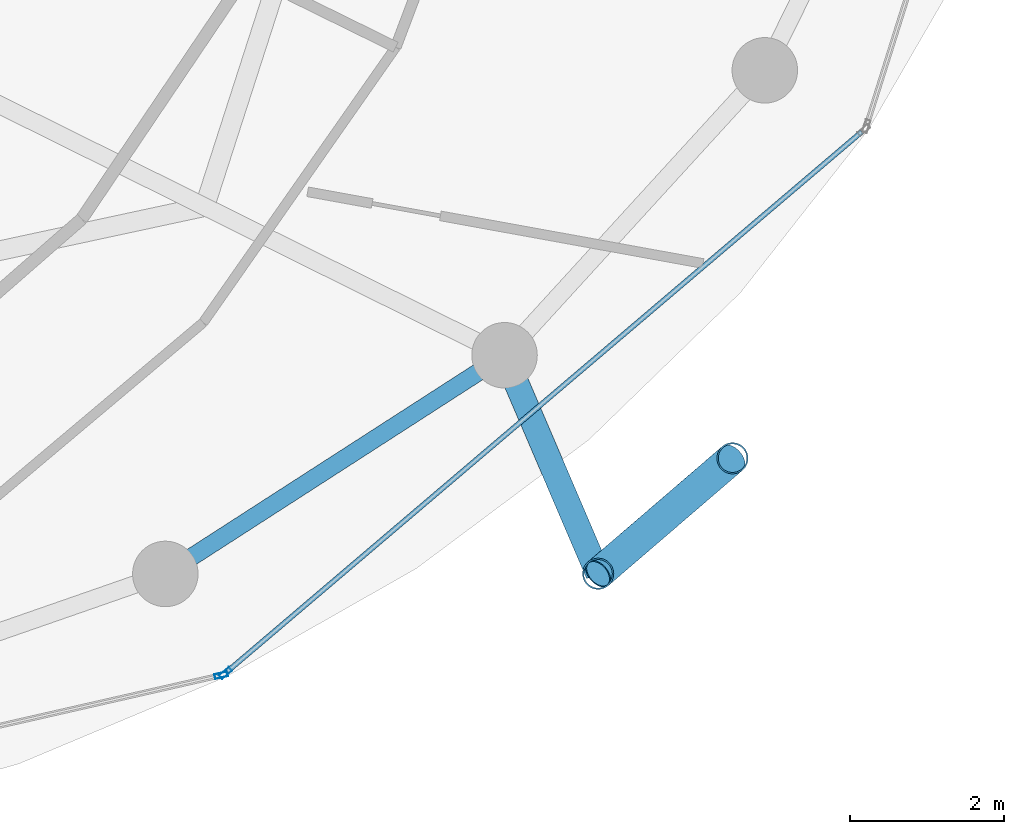
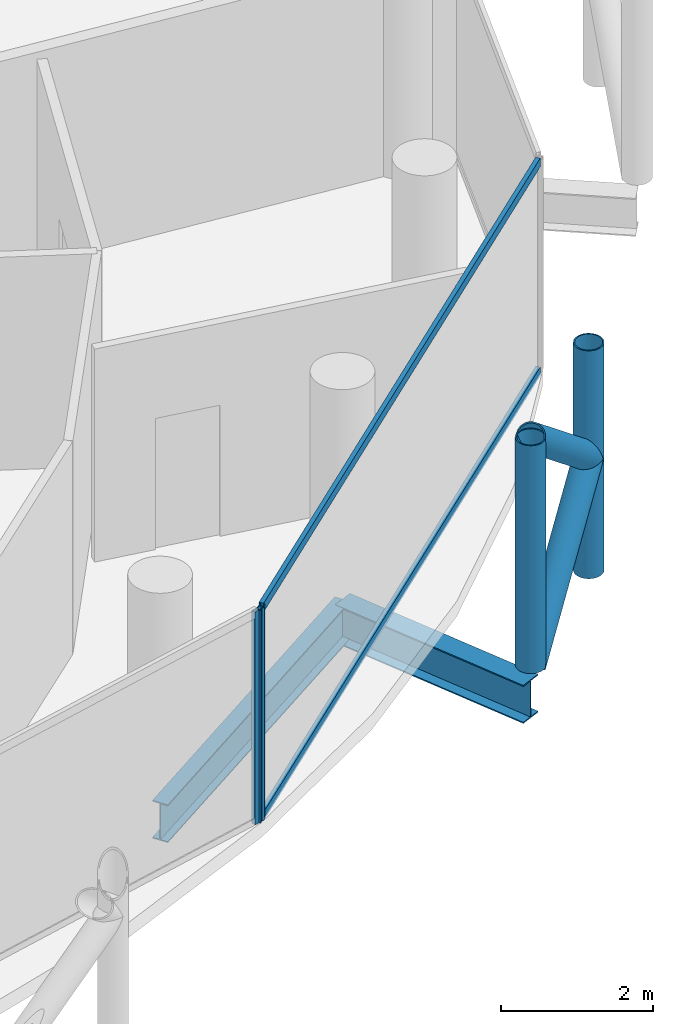
# One storey, part 11 of 27: 8 members, 2 beams, 2 elements without a shape of their own.
"""IFC4 building model written with IfcOpenShell, lengths in metres."""

import ifcopenshell
import ifcopenshell.guid

model = None  # the IFC model being written
_history = None  # IfcOwnerHistory: only IFC2X3 demands one
_inside = {}  # id of a spatial element -> (the spatial element, [elements in it])
_under = {}  # id of a project, library or spatial element -> (it, [spatial elements below it])
_declared = {}  # id of a project -> (the project, [libraries it declares])
_typed = {}  # id of a type object -> (the type object, [elements of that type])
_made_of = {}  # id of a material, layer set ... -> (it, [elements and type objects made of it])


def new_model(schema):
    """Start an empty IFC model of exactly this schema.

    Asked for "IFC4X3", IfcOpenShell would pick the latest addendum, in which some entities
    have other attributes; the version numbers below select the first issue.
    IFC2X3 requires an IfcOwnerHistory on every rooted entity: one is made here for all.
    """
    global model, _history
    if schema == "IFC4X3":
        model = ifcopenshell.file(schema_version=(4, 3, 0, 0))
    else:
        model = ifcopenshell.file(schema=schema)
    _inside.clear()
    _under.clear()
    _declared.clear()
    _typed.clear()
    _made_of.clear()
    _history = None
    if model.schema == "IFC2X3":
        org = make("IfcOrganization", Name="unknown")
        user = make(
            "IfcPersonAndOrganization",
            ThePerson=make("IfcPerson", FamilyName="unknown"),
            TheOrganization=org,
        )
        app = make(
            "IfcApplication",
            ApplicationDeveloper=org,
            Version="unknown",
            ApplicationFullName="unknown",
            ApplicationIdentifier="unknown",
        )
        _history = make(
            "IfcOwnerHistory",
            OwningUser=user,
            OwningApplication=app,
            ChangeAction="ADDED",
            CreationDate=0,
        )
    return model


def make(cls, **values):
    """One entity of the class cls with the attributes given. An attribute that is None is left unset."""
    return model.create_entity(
        cls, **{name: value for name, value in values.items() if value is not None}
    )


def rooted(cls, **values):
    """An entity with a GlobalId (a new one), such as an element, a storey or a relation."""
    return make(cls, GlobalId=ifcopenshell.guid.new(), OwnerHistory=_history, **values)


def si_unit(unit_type, name, prefix=None):
    """IfcSIUnit, for example si_unit("LENGTHUNIT", "METRE", prefix="MILLI")."""
    return make("IfcSIUnit", UnitType=unit_type, Prefix=prefix, Name=name)


def assignment(units):
    """IfcUnitAssignment: the units of a project."""
    return None if units is None else make("IfcUnitAssignment", Units=units)


def point(xyz):
    """IfcCartesianPoint."""
    return None if xyz is None else make("IfcCartesianPoint", Coordinates=xyz)


def direction(xyz):
    """IfcDirection."""
    return None if xyz is None else make("IfcDirection", DirectionRatios=xyz)


def frame(location, z_axis=None, x_axis=None):
    """IfcAxis2Placement3D, a coordinate frame: its origin and axes. An axis left out is left unset."""
    return make(
        "IfcAxis2Placement3D",
        Location=point(location),
        Axis=direction(z_axis),
        RefDirection=direction(x_axis),
    )


def frame_2d(location, x_axis=None):
    """IfcAxis2Placement2D, a coordinate frame in the plane: its origin and x axis."""
    return make(
        "IfcAxis2Placement2D", Location=point(location), RefDirection=direction(x_axis)
    )


def origin():
    """The frame at (0, 0, 0) with its axes left unset."""
    return frame((0.0, 0.0, 0.0))


def origin_2d():
    """The frame at (0, 0) in the plane with its x axis left unset."""
    return frame_2d((0.0, 0.0))


def place(relative_to, where):
    """IfcLocalPlacement: puts the frame where relative to a parent placement (None: the world)."""
    return make(
        "IfcLocalPlacement", PlacementRelTo=relative_to, RelativePlacement=where
    )


def context(
    kind, dimensions, precision=None, world=None, true_north=None, identifier=None
):
    """IfcGeometricRepresentationContext, for example the 3D "Model" context."""
    return make(
        "IfcGeometricRepresentationContext",
        ContextIdentifier=identifier,
        ContextType=kind,
        CoordinateSpaceDimension=dimensions,
        Precision=precision,
        WorldCoordinateSystem=world,
        TrueNorth=true_north,
    )


def subcontext(parent, identifier, kind, view, scale=None):
    """IfcGeometricRepresentationSubContext, for example "Body" below "Model"."""
    return make(
        "IfcGeometricRepresentationSubContext",
        ContextIdentifier=identifier,
        ContextType=kind,
        ParentContext=parent,
        TargetScale=scale,
        TargetView=view,
    )


def project(units=None, contexts=None):
    """IfcProject with its units and contexts."""
    return rooted(
        "IfcProject",
        Name="project",
        RepresentationContexts=contexts,
        UnitsInContext=assignment(units),
    )


def spatial(cls, under=None, at=None, **own):
    """A site, building, storey or space (cls), placed at a placement, below another one or the project."""
    s = rooted(cls, ObjectPlacement=at, **own)
    if under is not None:
        _under.setdefault(under.id(), (under, []))[1].append(s)
    return s


def profile(cls, at=None, kind="AREA", **sizes):
    """A parametric profile (cls). Its sizes go by their IFC names, for example OverallWidth=200.0."""
    return make(cls, ProfileType=kind, Position=at, **sizes)


def hollow_rectangle(**sizes):
    """IfcRectangleHollowProfileDef."""
    return profile("IfcRectangleHollowProfileDef", **sizes)


def hollow_circle(**sizes):
    """IfcCircleHollowProfileDef."""
    return profile("IfcCircleHollowProfileDef", **sizes)


def i_section(**sizes):
    """IfcIShapeProfileDef."""
    return profile("IfcIShapeProfileDef", **sizes)


def extrude(swept, where, along, depth):
    """IfcExtrudedAreaSolid: the profile swept, set in the frame where, extruded along a direction by depth."""
    return make(
        "IfcExtrudedAreaSolid",
        SweptArea=swept,
        Position=where,
        ExtrudedDirection=direction(along),
        Depth=depth,
    )


def shape(context_of_items, identifier, shape_type, items):
    """IfcShapeRepresentation: the items that make up one representation, for example the "Body"."""
    return make(
        "IfcShapeRepresentation",
        ContextOfItems=context_of_items,
        RepresentationIdentifier=identifier,
        RepresentationType=shape_type,
        Items=items,
    )


def material(Name=None, Category=None):
    """IfcMaterial."""
    return make("IfcMaterial", Name=Name, Category=Category)


def layer(
    of_material, thickness, ventilated=None, Name=None, Category=None, Priority=None
):
    """IfcMaterialLayer: one layer of a wall or slab, of a material (None: an air gap)."""
    return make(
        "IfcMaterialLayer",
        Material=of_material,
        LayerThickness=thickness,
        IsVentilated=ventilated,
        Name=Name,
        Category=Category,
        Priority=Priority,
    )


def layer_set(layers, Name=None):
    """IfcMaterialLayerSet."""
    return make("IfcMaterialLayerSet", MaterialLayers=layers, LayerSetName=Name)


def material_profile(
    of_material, cross_section, Name=None, Category=None, Priority=None
):
    """IfcMaterialProfile: a cross section and its material."""
    return make(
        "IfcMaterialProfile",
        Name=Name,
        Material=of_material,
        Profile=cross_section,
        Priority=Priority,
        Category=Category,
    )


def profile_set(profiles, Name=None, composite=None):
    """IfcMaterialProfileSet."""
    return make(
        "IfcMaterialProfileSet",
        Name=Name,
        MaterialProfiles=profiles,
        CompositeProfile=composite,
    )


def made_of(thing, what):
    """Note that an element or type object is made of a material, layer set ...; save() writes the relation."""
    if what is not None:
        _made_of.setdefault(what.id(), (what, []))[1].append(thing)
    return thing


def type_object(cls, material=None, **own):
    """A type object (cls), such as IfcWallType, which elements share."""
    return made_of(rooted(cls, **own), material)


def element(
    cls,
    number,
    at=None,
    inside=None,
    cuts=None,
    type_object=None,
    material=None,
    context=None,
    identifier="Body",
    shape_type=None,
    held_by="IfcProductDefinitionShape",
    body=None,
    shapes=None,
    **own,
):
    """One element of the class cls, such as IfcWall. Its Tag is "e" and its number.

    at: its placement. inside: the storey or other place that contains it. cuts: it is an
    opening in that element (IfcRelVoidsElement). A single representation is given by context,
    identifier, shape_type and body (its items); several are given by shapes. held_by: the class
    of the entity that holds the representations. save() writes the other relations.
    """
    e = rooted(cls, Tag="e%d" % number, ObjectPlacement=at, **own)
    if body is not None:
        shapes = [shape(context, identifier, shape_type, body)]
    if shapes is not None:
        e.Representation = make(held_by, Representations=shapes)
    if inside is not None:
        _inside.setdefault(inside.id(), (inside, []))[1].append(e)
    if cuts is not None:
        rooted(
            "IfcRelVoidsElement", RelatingBuildingElement=cuts, RelatedOpeningElement=e
        )
    if type_object is not None:
        _typed.setdefault(type_object.id(), (type_object, []))[1].append(e)
    return made_of(e, material)


def aggregate(whole, parts):
    """IfcRelAggregates: a whole, such as a stair, and the parts it consists of."""
    return rooted("IfcRelAggregates", RelatingObject=whole, RelatedObjects=parts)


def save(model, path):
    """Write the relations noted so far, then the file.

    IfcRelAggregates (storeys below a building ...), IfcRelContainedInSpatialStructure (elements
    in a storey), IfcRelDefinesByType, IfcRelAssociatesMaterial and IfcRelDeclares: one each for
    every whole, place, type object, material and project.
    """
    for whole, parts in _under.values():
        aggregate(whole, parts)
    for where, things in _inside.values():
        rooted(
            "IfcRelContainedInSpatialStructure",
            RelatedElements=things,
            RelatingStructure=where,
        )
    for kind, things in _typed.values():
        rooted("IfcRelDefinesByType", RelatedObjects=things, RelatingType=kind)
    for what, things in _made_of.values():
        rooted("IfcRelAssociatesMaterial", RelatedObjects=things, RelatingMaterial=what)
    for by, libraries in _declared.values():
        rooted("IfcRelDeclares", RelatingContext=by, RelatedDefinitions=libraries)
    model.write(path)


model = new_model("IFC4")

# Units and contexts
model_context = context("Model", 3, precision=1e-05, world=origin(), true_north=direction((0.0, 1.0)))
body_context = subcontext(model_context, "Body", "Model", "MODEL_VIEW")
ifc_project = project(units=[si_unit("LENGTHUNIT", "METRE"), si_unit("AREAUNIT", "SQUARE_METRE"), si_unit("VOLUMEUNIT", "CUBIC_METRE"), si_unit("PLANEANGLEUNIT", "RADIAN"), si_unit("MASSUNIT", "GRAM", prefix="KILO")], contexts=[model_context])

# Site, building, storey
site_placement = place(None, origin())
site = spatial("IfcSite", under=ifc_project, at=site_placement, CompositionType="ELEMENT")
building_placement = place(site_placement, origin())
building = spatial("IfcBuilding", under=site, at=building_placement, Name="Nuhasar Tower", CompositionType="ELEMENT")
storey_placement = place(building_placement, frame((0.0, 0.0, 248.300048828125)))
storey = spatial("IfcBuildingStorey", under=building, at=storey_placement, Name="L61", CompositionType="ELEMENT", Elevation=248.300048828125)

# Beams
ifc_material_1 = material(Name="Steel S355", Category="steel")
ifc_material_profile_1 = material_profile(ifc_material_1, i_section(OverallWidth=0.22802734375, OverallDepth=0.60791015625, WebThickness=0.01123046875, FlangeThickness=0.017333984375, at=origin_2d()), Name="W24X76")
ifc_profile_set_1 = profile_set([ifc_material_profile_1], Name="Steel S355")
beam_type_1 = type_object("IfcBeamType", Name="BM-RING-W24X76", PredefinedType="SPANDREL", material=ifc_profile_set_1)
beam_1_placement = place(storey_placement, frame((49.625, 11.341064453125, -0.5439453125), z_axis=(0.840502144969, 0.541808217272, 0.0), x_axis=(-0.541808217272, 0.840502144969, 0.0)))
element("IfcBeam", 1, at=beam_1_placement, inside=storey, type_object=beam_type_1, Name="L61 Perimeter Ring Spandrel 21", PredefinedType="SPANDREL", context=body_context, shape_type="SweptSolid", body=[
    extrude(i_section(OverallWidth=0.22802734375, OverallDepth=0.60791015625, WebThickness=0.01123046875, FlangeThickness=0.017333984375, at=origin_2d()), origin(), (0.0, 0.0, 1.0), 5.236083984375),
])
ifc_material_profile_2 = material_profile(ifc_material_1, i_section(OverallWidth=0.323974609375, OverallDepth=0.611083984375, WebThickness=0.0126953125, FlangeThickness=0.01904296875, at=origin_2d()), Name="W24X104")
ifc_profile_set_2 = profile_set([ifc_material_profile_2], Name="Steel S355")
beam_type_2 = type_object("IfcBeamType", Name="BM-TIE-W24X104", PredefinedType="BEAM", material=ifc_profile_set_2)
beam_2_placement = place(storey_placement, frame((54.02587890625, 14.177978515625, -0.545166015625), z_axis=(0.393680429682, -0.919247365667, 0.0), x_axis=(0.919247365667, 0.393680429682, 0.0)))
element("IfcBeam", 2, at=beam_2_placement, inside=storey, type_object=beam_type_2, Name="L61 Exoskeleton Node Tie Beam 11", PredefinedType="BEAM", context=body_context, shape_type="SweptSolid", body=[
    extrude(i_section(OverallWidth=0.323974609375, OverallDepth=0.611083984375, WebThickness=0.0126953125, FlangeThickness=0.01904296875, at=origin_2d()), origin(), (0.0, 0.0, 1.0), 3.083984375),
])

# Curtain wall, member
ifc_material_2 = material(Name="Aluminium 6063-T6", Category="aluminium")
ifc_layer = layer(ifc_material_2, 0.18994140625)
ifc_layer_set = layer_set([ifc_layer], Name="Aluminium 6063-T6")
curtain_wall_type = type_object("IfcCurtainWallType", Name="CW-Z3-RES", PredefinedType="NOTDEFINED", material=ifc_layer_set)
curtain_wall_1_placement = place(storey_placement, origin())
curtain_wall_1 = element("IfcCurtainWall", 3, at=curtain_wall_1_placement, inside=storey, type_object=curtain_wall_type, Name="L61 Unitised Curtain Wall 10", PredefinedType="NOTDEFINED")
ifc_material_profile_3 = material_profile(ifc_material_2, hollow_rectangle(XDim=0.06494140625, YDim=0.169921875, WallThickness=0.0048828125, at=origin_2d()), Name="CWM-4")
ifc_profile_set_3 = profile_set([ifc_material_profile_3], Name="Aluminium 6063-T6")
member_type_1 = type_object("IfcMemberType", Name="CW-MUL-S4", PredefinedType="MULLION", material=ifc_profile_set_3)
member_1_placement = place(storey_placement, frame((50.348388671875, 10.02685546875, 0.0), z_axis=(0.0, 0.0, 1.0), x_axis=(-0.222243176313, 0.974991266926, 0.0)))
member_1 = element("IfcMember", 4, at=member_1_placement, type_object=member_type_1, Name="CW-Z3 mullion 2", PredefinedType="MULLION", context=body_context, shape_type="SweptSolid", body=[
    extrude(hollow_rectangle(XDim=0.06494140625, YDim=0.169921875, WallThickness=0.0048828125, at=origin_2d()), origin(), (0.0, 0.0, 1.0), 3.409912109375),
])
aggregate(curtain_wall_1, [member_1])

# Curtain wall, members
curtain_wall_2_placement = place(storey_placement, origin())
curtain_wall_2 = element("IfcCurtainWall", 5, at=curtain_wall_2_placement, inside=storey, type_object=curtain_wall_type, Name="L61 Unitised Curtain Wall 11", PredefinedType="NOTDEFINED")
member_2_placement = place(storey_placement, frame((50.40478515625, 10.05517578125, 0.0), z_axis=(0.0, 0.0, 1.0), x_axis=(-0.64789521578, 0.761729472562, 0.0)))
member_2 = element("IfcMember", 6, at=member_2_placement, type_object=member_type_1, Name="CW-Z3 mullion 1", PredefinedType="MULLION", context=body_context, shape_type="SweptSolid", body=[
    extrude(hollow_rectangle(XDim=0.06494140625, YDim=0.169921875, WallThickness=0.0048828125, at=origin_2d()), origin(), (0.0, 0.0, 1.0), 3.409912109375),
])
ifc_material_profile_4 = material_profile(ifc_material_2, hollow_rectangle(XDim=0.06494140625, YDim=0.139892578125, WallThickness=0.00439453125, at=origin_2d()), Name="CWT-4")
ifc_profile_set_4 = profile_set([ifc_material_profile_4], Name="Aluminium 6063-T6")
member_type_2 = type_object("IfcMemberType", Name="CW-TRN-S4", PredefinedType="USERDEFINED", material=ifc_profile_set_4)
member_3_placement = place(storey_placement, frame((50.429443359375, 10.076171875, 0.032470703125), z_axis=(0.761730809511, 0.647893643928, 0.0), x_axis=(-0.647893643928, 0.761730809511, 0.0)))
member_3 = element("IfcMember", 7, at=member_3_placement, type_object=member_type_2, Name="CW-Z3 transom 1.1", ObjectType="TRANSOM", PredefinedType="USERDEFINED", context=body_context, shape_type="SweptSolid", body=[
    extrude(hollow_rectangle(XDim=0.06494140625, YDim=0.139892578125, WallThickness=0.00439453125, at=origin_2d()), origin(), (0.0, 0.0, 1.0), 10.806884765625),
])
member_4_placement = place(storey_placement, frame((50.429443359375, 10.076171875, 3.37744140625), z_axis=(0.761730809511, 0.647893643928, 0.0), x_axis=(-0.647893643928, 0.761730809511, 0.0)))
member_4 = element("IfcMember", 8, at=member_4_placement, type_object=member_type_2, Name="CW-Z3 transom 1.2", ObjectType="TRANSOM", PredefinedType="USERDEFINED", context=body_context, shape_type="SweptSolid", body=[
    extrude(hollow_rectangle(XDim=0.06494140625, YDim=0.139892578125, WallThickness=0.00439453125, at=origin_2d()), origin(), (0.0, 0.0, 1.0), 10.806884765625),
])
aggregate(curtain_wall_2, [member_2, member_3, member_4])

# Members
ifc_material_3 = material(Name="Steel S460", Category="steel")
ifc_material_profile_5 = material_profile(ifc_material_3, hollow_circle(Radius=0.203125, WallThickness=0.01904296875, at=origin_2d()), Name="HSS406.4X19.1")
ifc_profile_set_5 = profile_set([ifc_material_profile_5], Name="Steel S460")
member_type_3 = type_object("IfcMemberType", Name="EXO-BRONZE-406", PredefinedType="BRACE", material=ifc_profile_set_5)
for number, where, z_axis, x_axis, name in (
    (9, (55.239990234375, 11.343017578125, 0.0), (0.0, 0.0, 1.0), (1.0, 0.0, 0.0), "L61 Exoskeleton Chord Column EC-11A"),
    (10, (56.98388671875, 12.842041015625, 0.0), (0.0, 0.0, 1.0), (1.0, 0.0, 0.0), "L61 Exoskeleton Chord Column EC-11B"),
):
    element("IfcMember", number, at=place(storey_placement, frame(where, z_axis=z_axis, x_axis=x_axis)), inside=storey, type_object=member_type_3, Name=name, PredefinedType="BRACE", context=body_context, shape_type="SweptSolid", body=[
        extrude(hollow_circle(Radius=0.203125, WallThickness=0.01904296875, at=origin_2d()), origin(), (0.0, 0.0, 1.0), 3.64990234375),
    ])
for number, where, z_axis, x_axis, name in (
    (11, (55.239990234375, 11.343017578125, 0.0), (0.594018535389, 0.510608120858, 0.621627964725), (-0.65185738425, 0.758341579104, 0.0), "L61 Bronze Diagrid Brace W1-11"),
    (12, (56.98388671875, 12.842041015625, 1.824951171875), (-0.594018535389, -0.510608120858, 0.621627964725), (0.65185738425, -0.758341579104, 0.0), "L61 Bronze Diagrid Brace W2-11"),
):
    element("IfcMember", number, at=place(storey_placement, frame(where, z_axis=z_axis, x_axis=x_axis)), inside=storey, type_object=member_type_3, Name=name, PredefinedType="BRACE", context=body_context, shape_type="SweptSolid", body=[
        extrude(hollow_circle(Radius=0.203125, WallThickness=0.01904296875, at=origin_2d()), origin(), (0.0, 0.0, 1.0), 2.935791015625),
    ])

save(model, "model.ifc")
